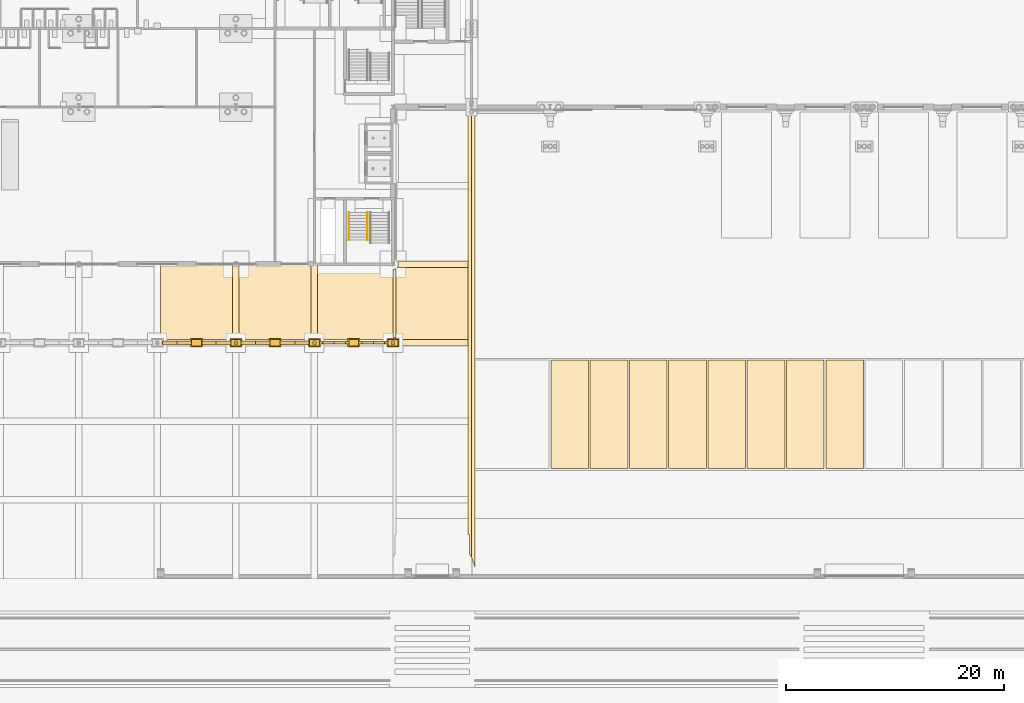
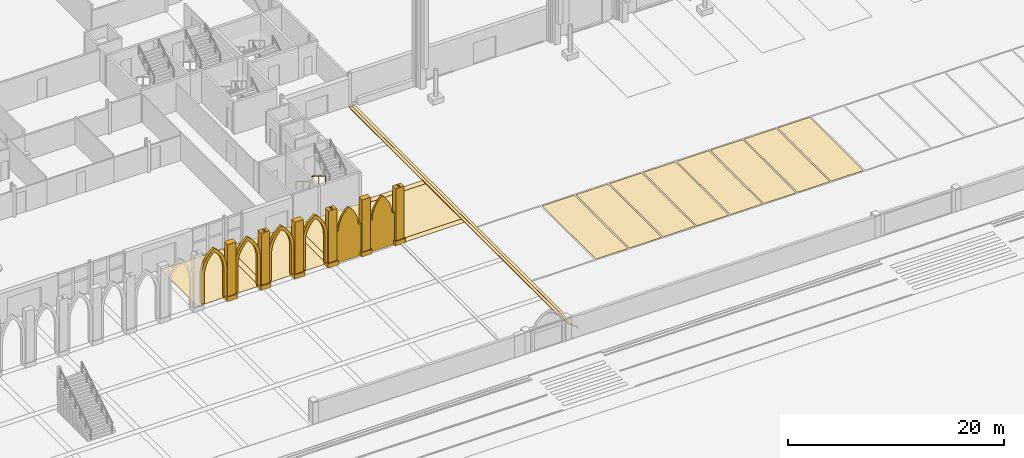
# One storey, part 123 of 148: 37 coverings, 2 railings.
"""IFC4 building model written with IfcOpenShell, lengths in metres."""

import ifcopenshell
import ifcopenshell.guid

model = None  # the IFC model being written
_history = None  # IfcOwnerHistory: only IFC2X3 demands one
_inside = {}  # id of a spatial element -> (the spatial element, [elements in it])
_under = {}  # id of a project, library or spatial element -> (it, [spatial elements below it])
_declared = {}  # id of a project -> (the project, [libraries it declares])
_typed = {}  # id of a type object -> (the type object, [elements of that type])
_made_of = {}  # id of a material, layer set ... -> (it, [elements and type objects made of it])


def new_model(schema):
    """Start an empty IFC model of exactly this schema.

    Asked for "IFC4X3", IfcOpenShell would pick the latest addendum, in which some entities
    have other attributes; the version numbers below select the first issue.
    IFC2X3 requires an IfcOwnerHistory on every rooted entity: one is made here for all.
    """
    global model, _history
    if schema == "IFC4X3":
        model = ifcopenshell.file(schema_version=(4, 3, 0, 0))
    else:
        model = ifcopenshell.file(schema=schema)
    _inside.clear()
    _under.clear()
    _declared.clear()
    _typed.clear()
    _made_of.clear()
    _history = None
    if model.schema == "IFC2X3":
        org = make("IfcOrganization", Name="unknown")
        user = make(
            "IfcPersonAndOrganization",
            ThePerson=make("IfcPerson", FamilyName="unknown"),
            TheOrganization=org,
        )
        app = make(
            "IfcApplication",
            ApplicationDeveloper=org,
            Version="unknown",
            ApplicationFullName="unknown",
            ApplicationIdentifier="unknown",
        )
        _history = make(
            "IfcOwnerHistory",
            OwningUser=user,
            OwningApplication=app,
            ChangeAction="ADDED",
            CreationDate=0,
        )
    return model


def make(cls, **values):
    """One entity of the class cls with the attributes given. An attribute that is None is left unset."""
    return model.create_entity(
        cls, **{name: value for name, value in values.items() if value is not None}
    )


def rooted(cls, **values):
    """An entity with a GlobalId (a new one), such as an element, a storey or a relation."""
    return make(cls, GlobalId=ifcopenshell.guid.new(), OwnerHistory=_history, **values)


def si_unit(unit_type, name, prefix=None):
    """IfcSIUnit, for example si_unit("LENGTHUNIT", "METRE", prefix="MILLI")."""
    return make("IfcSIUnit", UnitType=unit_type, Prefix=prefix, Name=name)


def assignment(units):
    """IfcUnitAssignment: the units of a project."""
    return None if units is None else make("IfcUnitAssignment", Units=units)


def point(xyz):
    """IfcCartesianPoint."""
    return None if xyz is None else make("IfcCartesianPoint", Coordinates=xyz)


def direction(xyz):
    """IfcDirection."""
    return None if xyz is None else make("IfcDirection", DirectionRatios=xyz)


def frame(location, z_axis=None, x_axis=None):
    """IfcAxis2Placement3D, a coordinate frame: its origin and axes. An axis left out is left unset."""
    return make(
        "IfcAxis2Placement3D",
        Location=point(location),
        Axis=direction(z_axis),
        RefDirection=direction(x_axis),
    )


def frame_2d(location, x_axis=None):
    """IfcAxis2Placement2D, a coordinate frame in the plane: its origin and x axis."""
    return make(
        "IfcAxis2Placement2D", Location=point(location), RefDirection=direction(x_axis)
    )


def origin():
    """The frame at (0, 0, 0) with its axes left unset."""
    return frame((0.0, 0.0, 0.0))


def origin_2d():
    """The frame at (0, 0) in the plane with its x axis left unset."""
    return frame_2d((0.0, 0.0))


def place(relative_to, where):
    """IfcLocalPlacement: puts the frame where relative to a parent placement (None: the world)."""
    return make(
        "IfcLocalPlacement", PlacementRelTo=relative_to, RelativePlacement=where
    )


def context(
    kind, dimensions, precision=None, world=None, true_north=None, identifier=None
):
    """IfcGeometricRepresentationContext, for example the 3D "Model" context."""
    return make(
        "IfcGeometricRepresentationContext",
        ContextIdentifier=identifier,
        ContextType=kind,
        CoordinateSpaceDimension=dimensions,
        Precision=precision,
        WorldCoordinateSystem=world,
        TrueNorth=true_north,
    )


def subcontext(parent, identifier, kind, view, scale=None):
    """IfcGeometricRepresentationSubContext, for example "Body" below "Model"."""
    return make(
        "IfcGeometricRepresentationSubContext",
        ContextIdentifier=identifier,
        ContextType=kind,
        ParentContext=parent,
        TargetScale=scale,
        TargetView=view,
    )


def project(units=None, contexts=None):
    """IfcProject with its units and contexts."""
    return rooted(
        "IfcProject",
        Name="project",
        RepresentationContexts=contexts,
        UnitsInContext=assignment(units),
    )


def spatial(cls, under=None, at=None, **own):
    """A site, building, storey or space (cls), placed at a placement, below another one or the project."""
    s = rooted(cls, ObjectPlacement=at, **own)
    if under is not None:
        _under.setdefault(under.id(), (under, []))[1].append(s)
    return s


def polyline(points):
    """IfcPolyline through the points."""
    return make("IfcPolyline", Points=[point(p) for p in points])


def profile(cls, at=None, kind="AREA", **sizes):
    """A parametric profile (cls). Its sizes go by their IFC names, for example OverallWidth=200.0."""
    return make(cls, ProfileType=kind, Position=at, **sizes)


def circle(**sizes):
    """IfcCircleProfileDef."""
    return profile("IfcCircleProfileDef", **sizes)


def outline(outer, holes=None, kind="AREA"):
    """IfcArbitraryClosedProfileDef: a profile drawn as a closed curve; with holes, ...WithVoids."""
    if holes is None:
        return make("IfcArbitraryClosedProfileDef", ProfileType=kind, OuterCurve=outer)
    return make(
        "IfcArbitraryProfileDefWithVoids",
        ProfileType=kind,
        OuterCurve=outer,
        InnerCurves=holes,
    )


def extrude(swept, where, along, depth):
    """IfcExtrudedAreaSolid: the profile swept, set in the frame where, extruded along a direction by depth."""
    return make(
        "IfcExtrudedAreaSolid",
        SweptArea=swept,
        Position=where,
        ExtrudedDirection=direction(along),
        Depth=depth,
    )


def shape(context_of_items, identifier, shape_type, items):
    """IfcShapeRepresentation: the items that make up one representation, for example the "Body"."""
    return make(
        "IfcShapeRepresentation",
        ContextOfItems=context_of_items,
        RepresentationIdentifier=identifier,
        RepresentationType=shape_type,
        Items=items,
    )


def material(Name=None, Category=None):
    """IfcMaterial."""
    return make("IfcMaterial", Name=Name, Category=Category)


def layer(
    of_material, thickness, ventilated=None, Name=None, Category=None, Priority=None
):
    """IfcMaterialLayer: one layer of a wall or slab, of a material (None: an air gap)."""
    return make(
        "IfcMaterialLayer",
        Material=of_material,
        LayerThickness=thickness,
        IsVentilated=ventilated,
        Name=Name,
        Category=Category,
        Priority=Priority,
    )


def layer_set(layers, Name=None):
    """IfcMaterialLayerSet."""
    return make("IfcMaterialLayerSet", MaterialLayers=layers, LayerSetName=Name)


def made_of(thing, what):
    """Note that an element or type object is made of a material, layer set ...; save() writes the relation."""
    if what is not None:
        _made_of.setdefault(what.id(), (what, []))[1].append(thing)
    return thing


def type_object(cls, material=None, **own):
    """A type object (cls), such as IfcWallType, which elements share."""
    return made_of(rooted(cls, **own), material)


def element(
    cls,
    number,
    at=None,
    inside=None,
    cuts=None,
    type_object=None,
    material=None,
    context=None,
    identifier="Body",
    shape_type=None,
    held_by="IfcProductDefinitionShape",
    body=None,
    shapes=None,
    **own,
):
    """One element of the class cls, such as IfcWall. Its Tag is "e" and its number.

    at: its placement. inside: the storey or other place that contains it. cuts: it is an
    opening in that element (IfcRelVoidsElement). A single representation is given by context,
    identifier, shape_type and body (its items); several are given by shapes. held_by: the class
    of the entity that holds the representations. save() writes the other relations.
    """
    e = rooted(cls, Tag="e%d" % number, ObjectPlacement=at, **own)
    if body is not None:
        shapes = [shape(context, identifier, shape_type, body)]
    if shapes is not None:
        e.Representation = make(held_by, Representations=shapes)
    if inside is not None:
        _inside.setdefault(inside.id(), (inside, []))[1].append(e)
    if cuts is not None:
        rooted(
            "IfcRelVoidsElement", RelatingBuildingElement=cuts, RelatedOpeningElement=e
        )
    if type_object is not None:
        _typed.setdefault(type_object.id(), (type_object, []))[1].append(e)
    return made_of(e, material)


def aggregate(whole, parts):
    """IfcRelAggregates: a whole, such as a stair, and the parts it consists of."""
    return rooted("IfcRelAggregates", RelatingObject=whole, RelatedObjects=parts)


def save(model, path):
    """Write the relations noted so far, then the file.

    IfcRelAggregates (storeys below a building ...), IfcRelContainedInSpatialStructure (elements
    in a storey), IfcRelDefinesByType, IfcRelAssociatesMaterial and IfcRelDeclares: one each for
    every whole, place, type object, material and project.
    """
    for whole, parts in _under.values():
        aggregate(whole, parts)
    for where, things in _inside.values():
        rooted(
            "IfcRelContainedInSpatialStructure",
            RelatedElements=things,
            RelatingStructure=where,
        )
    for kind, things in _typed.values():
        rooted("IfcRelDefinesByType", RelatedObjects=things, RelatingType=kind)
    for what, things in _made_of.values():
        rooted("IfcRelAssociatesMaterial", RelatedObjects=things, RelatingMaterial=what)
    for by, libraries in _declared.values():
        rooted("IfcRelDeclares", RelatingContext=by, RelatedDefinitions=libraries)
    model.write(path)


model = new_model("IFC4")

# Units and contexts
model_context = context("Model", 3, precision=1e-05, world=origin(), true_north=direction((0.0, 1.0)))
body_context = subcontext(model_context, "Body", "Model", "MODEL_VIEW")
ifc_project = project(units=[si_unit("LENGTHUNIT", "METRE"), si_unit("AREAUNIT", "SQUARE_METRE"), si_unit("VOLUMEUNIT", "CUBIC_METRE"), si_unit("PLANEANGLEUNIT", "RADIAN"), si_unit("MASSUNIT", "GRAM", prefix="KILO")], contexts=[model_context])

# Site, building, storey
site_placement = place(None, origin())
site = spatial("IfcSite", under=ifc_project, at=site_placement, CompositionType="ELEMENT")
building_placement = place(site_placement, origin())
building = spatial("IfcBuilding", under=site, at=building_placement, Name="Kupolbacken Congress Centre", CompositionType="ELEMENT")
storey_placement = place(building_placement, origin())
storey = spatial("IfcBuildingStorey", under=building, at=storey_placement, Name="L00", CompositionType="ELEMENT", Elevation=0.0)

# Coverings
ifc_material_1 = material(Name="Limestone cladding", Category="masonry")
ifc_layer_1 = layer(ifc_material_1, 0.60009765625)
ifc_layer_set_1 = layer_set([ifc_layer_1], Name="Limestone cladding")
covering_type_1 = type_object("IfcCoveringType", Name="CV5 limestone arcade pier 600", PredefinedType="CLADDING", material=ifc_layer_set_1)
covering_1_placement = place(storey_placement, origin())
element("IfcCovering", 1, at=covering_1_placement, inside=storey, type_object=covering_type_1, Name="F/arc/pier/061.2/base", PredefinedType="CLADDING", context=body_context, shape_type="SweptSolid", body=[
    extrude(outline(polyline([(60.64990234375, 21.199951171875), (61.75, 21.199951171875), (61.75, 22.0), (60.64990234375, 22.0), (60.64990234375, 21.199951171875)])), origin(), (0.0, 0.0, 1.0), 0.5),
])
covering_2_placement = place(storey_placement, frame((0.0, 0.0, 0.5)))
element("IfcCovering", 2, at=covering_2_placement, inside=storey, type_object=covering_type_1, Name="F/arc/pier/061.2/shaft", PredefinedType="CLADDING", context=body_context, shape_type="SweptSolid", body=[
    extrude(outline(polyline([(60.75, 21.300048828125), (61.64990234375, 21.300048828125), (61.64990234375, 21.89990234375), (60.75, 21.89990234375), (60.75, 21.300048828125)])), origin(), (0.0, 0.0, 1.0), 5.8701171875),
])
covering_3_placement = place(storey_placement, origin())
element("IfcCovering", 3, at=covering_3_placement, inside=storey, type_object=covering_type_1, Name="F/arc/pier/064.8/base", PredefinedType="CLADDING", context=body_context, shape_type="SweptSolid", body=[
    extrude(outline(polyline([(64.25, 21.199951171875), (65.35009765625, 21.199951171875), (65.35009765625, 22.0), (64.25, 22.0), (64.25, 21.199951171875)]), holes=[polyline([(64.659912109375, 21.4599609375), (64.93994140625, 21.4599609375), (64.93994140625, 21.739990234375), (64.659912109375, 21.739990234375), (64.659912109375, 21.4599609375)])]), origin(), (0.0, 0.0, 1.0), 0.5),
])
covering_4_placement = place(storey_placement, frame((0.0, 0.0, 0.5)))
element("IfcCovering", 4, at=covering_4_placement, inside=storey, type_object=covering_type_1, Name="F/arc/pier/064.8/shaft", PredefinedType="CLADDING", context=body_context, shape_type="SweptSolid", body=[
    extrude(outline(polyline([(64.35009765625, 21.300048828125), (65.25, 21.300048828125), (65.25, 21.89990234375), (64.35009765625, 21.89990234375), (64.35009765625, 21.300048828125)]), holes=[polyline([(64.659912109375, 21.4599609375), (64.93994140625, 21.4599609375), (64.93994140625, 21.739990234375), (64.659912109375, 21.739990234375), (64.659912109375, 21.4599609375)])]), origin(), (0.0, 0.0, 1.0), 5.8701171875),
])
covering_5_placement = place(storey_placement, origin())
element("IfcCovering", 5, at=covering_5_placement, inside=storey, type_object=covering_type_1, Name="F/arc/pier/068.4/base", PredefinedType="CLADDING", context=body_context, shape_type="SweptSolid", body=[
    extrude(outline(polyline([(67.85009765625, 21.199951171875), (68.949951171875, 21.199951171875), (68.949951171875, 22.0), (67.85009765625, 22.0), (67.85009765625, 21.199951171875)])), origin(), (0.0, 0.0, 1.0), 0.5),
])
covering_6_placement = place(storey_placement, frame((0.0, 0.0, 0.5)))
element("IfcCovering", 6, at=covering_6_placement, inside=storey, type_object=covering_type_1, Name="F/arc/pier/068.4/shaft", PredefinedType="CLADDING", context=body_context, shape_type="SweptSolid", body=[
    extrude(outline(polyline([(67.949951171875, 21.300048828125), (68.85009765625, 21.300048828125), (68.85009765625, 21.89990234375), (67.949951171875, 21.89990234375), (67.949951171875, 21.300048828125)])), origin(), (0.0, 0.0, 1.0), 5.8701171875),
])
covering_7_placement = place(storey_placement, origin())
element("IfcCovering", 7, at=covering_7_placement, inside=storey, type_object=covering_type_1, Name="F/arc/pier/072.0/base", PredefinedType="CLADDING", context=body_context, shape_type="SweptSolid", body=[
    extrude(outline(polyline([(71.449951171875, 21.199951171875), (72.550048828125, 21.199951171875), (72.550048828125, 22.0), (71.449951171875, 22.0), (71.449951171875, 21.199951171875)]), holes=[polyline([(71.860107421875, 21.4599609375), (72.139892578125, 21.4599609375), (72.139892578125, 21.739990234375), (71.860107421875, 21.739990234375), (71.860107421875, 21.4599609375)])]), origin(), (0.0, 0.0, 1.0), 0.5),
])
covering_8_placement = place(storey_placement, frame((0.0, 0.0, 0.5)))
element("IfcCovering", 8, at=covering_8_placement, inside=storey, type_object=covering_type_1, Name="F/arc/pier/072.0/shaft", PredefinedType="CLADDING", context=body_context, shape_type="SweptSolid", body=[
    extrude(outline(polyline([(71.550048828125, 21.300048828125), (72.449951171875, 21.300048828125), (72.449951171875, 21.89990234375), (71.550048828125, 21.89990234375), (71.550048828125, 21.300048828125)]), holes=[polyline([(71.860107421875, 21.4599609375), (72.139892578125, 21.4599609375), (72.139892578125, 21.739990234375), (71.860107421875, 21.739990234375), (71.860107421875, 21.4599609375)])]), origin(), (0.0, 0.0, 1.0), 5.8701171875),
])
covering_9_placement = place(storey_placement, origin())
element("IfcCovering", 9, at=covering_9_placement, inside=storey, type_object=covering_type_1, Name="F/arc/pier/075.6/base", PredefinedType="CLADDING", context=body_context, shape_type="SweptSolid", body=[
    extrude(outline(polyline([(75.050048828125, 21.199951171875), (76.14990234375, 21.199951171875), (76.14990234375, 22.0), (75.050048828125, 22.0), (75.050048828125, 21.199951171875)])), origin(), (0.0, 0.0, 1.0), 0.5),
])
covering_10_placement = place(storey_placement, frame((0.0, 0.0, 0.5)))
element("IfcCovering", 10, at=covering_10_placement, inside=storey, type_object=covering_type_1, Name="F/arc/pier/075.6/shaft", PredefinedType="CLADDING", context=body_context, shape_type="SweptSolid", body=[
    extrude(outline(polyline([(75.14990234375, 21.300048828125), (76.050048828125, 21.300048828125), (76.050048828125, 21.89990234375), (75.14990234375, 21.89990234375), (75.14990234375, 21.300048828125)])), origin(), (0.0, 0.0, 1.0), 5.8701171875),
])
covering_11_placement = place(storey_placement, origin())
element("IfcCovering", 11, at=covering_11_placement, inside=storey, type_object=covering_type_1, Name="F/arc/pier/079.2/base", PredefinedType="CLADDING", context=body_context, shape_type="SweptSolid", body=[
    extrude(outline(polyline([(78.64990234375, 21.199951171875), (79.75, 21.199951171875), (79.75, 22.0), (78.64990234375, 22.0), (78.64990234375, 21.199951171875)]), holes=[polyline([(79.06005859375, 21.4599609375), (79.340087890625, 21.4599609375), (79.340087890625, 21.739990234375), (79.06005859375, 21.739990234375), (79.06005859375, 21.4599609375)])]), origin(), (0.0, 0.0, 1.0), 0.5),
])
covering_12_placement = place(storey_placement, frame((0.0, 0.0, 0.5)))
element("IfcCovering", 12, at=covering_12_placement, inside=storey, type_object=covering_type_1, Name="F/arc/pier/079.2/shaft", PredefinedType="CLADDING", context=body_context, shape_type="SweptSolid", body=[
    extrude(outline(polyline([(78.75, 21.300048828125), (79.64990234375, 21.300048828125), (79.64990234375, 21.89990234375), (78.75, 21.89990234375), (78.75, 21.300048828125)]), holes=[polyline([(79.06005859375, 21.4599609375), (79.340087890625, 21.4599609375), (79.340087890625, 21.739990234375), (79.06005859375, 21.739990234375), (79.06005859375, 21.4599609375)])]), origin(), (0.0, 0.0, 1.0), 5.8701171875),
])
ifc_material_2 = material(Name="Limestone cladding", Category="masonry")
ifc_layer_2 = layer(ifc_material_2, 0.300048828125)
ifc_layer_set_2 = layer_set([ifc_layer_2], Name="Limestone cladding")
covering_type_2 = type_object("IfcCoveringType", Name="CV6 limestone arcade arch frame 300", PredefinedType="CLADDING", material=ifc_layer_set_2)
covering_13_placement = place(storey_placement, frame((58.050048828125, 21.449951171875, 0.5), z_axis=(0.0, 1.0, 0.0), x_axis=(-1.0, 0.0, 0.0)))
element("IfcCovering", 13, at=covering_13_placement, inside=storey, type_object=covering_type_2, Name="F/arc/arch/057.6", PredefinedType="CLADDING", context=body_context, shape_type="SweptSolid", body=[
    extrude(outline(polyline([(0.0, 0.0), (0.0, 3.1201171875), (-0.00732421875, 3.343505859375), (-0.029541015625, 3.56591796875), (-0.06640625, 3.7861328125), (-0.117919921875, 4.00390625), (-0.183349609375, 4.21728515625), (-0.262939453125, 4.42626953125), (-0.356201171875, 4.62939453125), (-0.462890625, 4.82568359375), (-0.58203125, 5.014892578125), (-0.713623046875, 5.195556640625), (-0.85693359375, 5.3671875), (-1.010986328125, 5.52880859375), (-1.17578125, 5.68017578125), (-1.35009765625, 5.820068359375), (-1.5244140625, 5.68017578125), (-1.68896484375, 5.52880859375), (-1.843017578125, 5.3671875), (-1.986328125, 5.195556640625), (-2.117919921875, 5.014892578125), (-2.2373046875, 4.82568359375), (-2.34375, 4.62939453125), (-2.43701171875, 4.42626953125), (-2.5166015625, 4.21728515625), (-2.582275390625, 4.00390625), (-2.633544921875, 3.7861328125), (-2.67041015625, 3.56591796875), (-2.692626953125, 3.343505859375), (-2.699951171875, 3.1201171875), (-2.699951171875, 0.0), (-2.39990234375, 0.0), (-2.39990234375, 3.1201171875), (-2.394287109375, 3.306884765625), (-2.377197265625, 3.493408203125), (-2.348876953125, 3.67822265625), (-2.309326171875, 3.861083984375), (-2.2587890625, 4.041259765625), (-2.197265625, 4.218017578125), (-2.125244140625, 4.390625), (-2.042724609375, 4.55859375), (-1.9501953125, 4.72119140625), (-1.847900390625, 4.877685546875), (-1.736572265625, 5.028076171875), (-1.615966796875, 5.171142578125), (-1.487060546875, 5.306640625), (-1.35009765625, 5.43408203125), (-1.212890625, 5.306640625), (-1.083984375, 5.171142578125), (-0.96337890625, 5.028076171875), (-0.85205078125, 4.877685546875), (-0.749755859375, 4.72119140625), (-0.6572265625, 4.55859375), (-0.57470703125, 4.390625), (-0.502685546875, 4.218017578125), (-0.441162109375, 4.041259765625), (-0.390625, 3.861083984375), (-0.35107421875, 3.67822265625), (-0.32275390625, 3.493408203125), (-0.3056640625, 3.306884765625), (-0.300048828125, 3.1201171875), (-0.300048828125, 0.0), (0.0, 0.0)])), origin(), (0.0, 0.0, 1.0), 0.300048828125),
])
covering_14_placement = place(storey_placement, frame((61.64990234375, 21.449951171875, 0.5), z_axis=(0.0, 1.0, 0.0), x_axis=(-1.0, 0.0, 0.0)))
element("IfcCovering", 14, at=covering_14_placement, inside=storey, type_object=covering_type_2, Name="F/arc/arch/061.2", PredefinedType="CLADDING", context=body_context, shape_type="SweptSolid", body=[
    extrude(outline(polyline([(0.0, 0.0), (0.0, 3.1201171875), (-0.00732421875, 3.343505859375), (-0.029541015625, 3.56591796875), (-0.06640625, 3.7861328125), (-0.117919921875, 4.00390625), (-0.183349609375, 4.21728515625), (-0.262939453125, 4.42626953125), (-0.356201171875, 4.62939453125), (-0.462890625, 4.82568359375), (-0.58203125, 5.014892578125), (-0.713623046875, 5.195556640625), (-0.85693359375, 5.3671875), (-1.010986328125, 5.52880859375), (-1.17578125, 5.68017578125), (-1.35009765625, 5.820068359375), (-1.5244140625, 5.68017578125), (-1.68896484375, 5.52880859375), (-1.843017578125, 5.3671875), (-1.986328125, 5.195556640625), (-2.117919921875, 5.014892578125), (-2.2373046875, 4.82568359375), (-2.34375, 4.62939453125), (-2.43701171875, 4.42626953125), (-2.5166015625, 4.21728515625), (-2.582275390625, 4.00390625), (-2.633544921875, 3.7861328125), (-2.67041015625, 3.56591796875), (-2.692626953125, 3.343505859375), (-2.699951171875, 3.1201171875), (-2.699951171875, 0.0), (-2.39990234375, 0.0), (-2.39990234375, 3.1201171875), (-2.394287109375, 3.306884765625), (-2.377197265625, 3.493408203125), (-2.348876953125, 3.67822265625), (-2.309326171875, 3.861083984375), (-2.2587890625, 4.041259765625), (-2.197265625, 4.218017578125), (-2.125244140625, 4.390625), (-2.042724609375, 4.55859375), (-1.9501953125, 4.72119140625), (-1.847900390625, 4.877685546875), (-1.736572265625, 5.028076171875), (-1.615966796875, 5.171142578125), (-1.487060546875, 5.306640625), (-1.35009765625, 5.43408203125), (-1.212890625, 5.306640625), (-1.083984375, 5.171142578125), (-0.96337890625, 5.028076171875), (-0.85205078125, 4.877685546875), (-0.749755859375, 4.72119140625), (-0.6572265625, 4.55859375), (-0.57470703125, 4.390625), (-0.502685546875, 4.218017578125), (-0.441162109375, 4.041259765625), (-0.390625, 3.861083984375), (-0.35107421875, 3.67822265625), (-0.32275390625, 3.493408203125), (-0.3056640625, 3.306884765625), (-0.300048828125, 3.1201171875), (-0.300048828125, 0.0), (0.0, 0.0)])), origin(), (0.0, 0.0, 1.0), 0.300048828125),
])
covering_15_placement = place(storey_placement, frame((65.25, 21.449951171875, 0.5), z_axis=(0.0, 1.0, 0.0), x_axis=(-1.0, 0.0, 0.0)))
element("IfcCovering", 15, at=covering_15_placement, inside=storey, type_object=covering_type_2, Name="F/arc/arch/064.8", PredefinedType="CLADDING", context=body_context, shape_type="SweptSolid", body=[
    extrude(outline(polyline([(0.0, 0.0), (0.0, 3.1201171875), (-0.00732421875, 3.343505859375), (-0.029541015625, 3.56591796875), (-0.06640625, 3.7861328125), (-0.117919921875, 4.00390625), (-0.183349609375, 4.21728515625), (-0.262939453125, 4.42626953125), (-0.356201171875, 4.62939453125), (-0.462890625, 4.82568359375), (-0.58203125, 5.014892578125), (-0.713623046875, 5.195556640625), (-0.85693359375, 5.3671875), (-1.010986328125, 5.52880859375), (-1.17578125, 5.68017578125), (-1.35009765625, 5.820068359375), (-1.5244140625, 5.68017578125), (-1.68896484375, 5.52880859375), (-1.843017578125, 5.3671875), (-1.986328125, 5.195556640625), (-2.117919921875, 5.014892578125), (-2.2373046875, 4.82568359375), (-2.34375, 4.62939453125), (-2.43701171875, 4.42626953125), (-2.5166015625, 4.21728515625), (-2.582275390625, 4.00390625), (-2.633544921875, 3.7861328125), (-2.67041015625, 3.56591796875), (-2.692626953125, 3.343505859375), (-2.699951171875, 3.1201171875), (-2.699951171875, 0.0), (-2.39990234375, 0.0), (-2.39990234375, 3.1201171875), (-2.394287109375, 3.306884765625), (-2.377197265625, 3.493408203125), (-2.348876953125, 3.67822265625), (-2.309326171875, 3.861083984375), (-2.2587890625, 4.041259765625), (-2.197265625, 4.218017578125), (-2.125244140625, 4.390625), (-2.042724609375, 4.55859375), (-1.9501953125, 4.72119140625), (-1.847900390625, 4.877685546875), (-1.736572265625, 5.028076171875), (-1.615966796875, 5.171142578125), (-1.487060546875, 5.306640625), (-1.35009765625, 5.43408203125), (-1.212890625, 5.306640625), (-1.083984375, 5.171142578125), (-0.96337890625, 5.028076171875), (-0.85205078125, 4.877685546875), (-0.749755859375, 4.72119140625), (-0.6572265625, 4.55859375), (-0.57470703125, 4.390625), (-0.502685546875, 4.218017578125), (-0.441162109375, 4.041259765625), (-0.390625, 3.861083984375), (-0.35107421875, 3.67822265625), (-0.32275390625, 3.493408203125), (-0.3056640625, 3.306884765625), (-0.300048828125, 3.1201171875), (-0.300048828125, 0.0), (0.0, 0.0)])), origin(), (0.0, 0.0, 1.0), 0.300048828125),
])
covering_16_placement = place(storey_placement, frame((68.85009765625, 21.449951171875, 0.5), z_axis=(0.0, 1.0, 0.0), x_axis=(-1.0, 0.0, 0.0)))
element("IfcCovering", 16, at=covering_16_placement, inside=storey, type_object=covering_type_2, Name="F/arc/arch/068.4", PredefinedType="CLADDING", context=body_context, shape_type="SweptSolid", body=[
    extrude(outline(polyline([(0.0, 0.0), (0.0, 3.1201171875), (-0.00732421875, 3.343505859375), (-0.029541015625, 3.56591796875), (-0.06640625, 3.7861328125), (-0.117919921875, 4.00390625), (-0.183349609375, 4.21728515625), (-0.262939453125, 4.42626953125), (-0.356201171875, 4.62939453125), (-0.462890625, 4.82568359375), (-0.58203125, 5.014892578125), (-0.713623046875, 5.195556640625), (-0.85693359375, 5.3671875), (-1.010986328125, 5.52880859375), (-1.17578125, 5.68017578125), (-1.35009765625, 5.820068359375), (-1.5244140625, 5.68017578125), (-1.68896484375, 5.52880859375), (-1.843017578125, 5.3671875), (-1.986328125, 5.195556640625), (-2.117919921875, 5.014892578125), (-2.2373046875, 4.82568359375), (-2.34375, 4.62939453125), (-2.43701171875, 4.42626953125), (-2.5166015625, 4.21728515625), (-2.582275390625, 4.00390625), (-2.633544921875, 3.7861328125), (-2.67041015625, 3.56591796875), (-2.692626953125, 3.343505859375), (-2.699951171875, 3.1201171875), (-2.699951171875, 0.0), (-2.39990234375, 0.0), (-2.39990234375, 3.1201171875), (-2.394287109375, 3.306884765625), (-2.377197265625, 3.493408203125), (-2.348876953125, 3.67822265625), (-2.309326171875, 3.861083984375), (-2.2587890625, 4.041259765625), (-2.197265625, 4.218017578125), (-2.125244140625, 4.390625), (-2.042724609375, 4.55859375), (-1.9501953125, 4.72119140625), (-1.847900390625, 4.877685546875), (-1.736572265625, 5.028076171875), (-1.615966796875, 5.171142578125), (-1.487060546875, 5.306640625), (-1.35009765625, 5.43408203125), (-1.212890625, 5.306640625), (-1.083984375, 5.171142578125), (-0.96337890625, 5.028076171875), (-0.85205078125, 4.877685546875), (-0.749755859375, 4.72119140625), (-0.6572265625, 4.55859375), (-0.57470703125, 4.390625), (-0.502685546875, 4.218017578125), (-0.441162109375, 4.041259765625), (-0.390625, 3.861083984375), (-0.35107421875, 3.67822265625), (-0.32275390625, 3.493408203125), (-0.3056640625, 3.306884765625), (-0.300048828125, 3.1201171875), (-0.300048828125, 0.0), (0.0, 0.0)])), origin(), (0.0, 0.0, 1.0), 0.300048828125),
])
ifc_material_3 = material(Name="Limestone cladding", Category="masonry")
ifc_layer_3 = layer(ifc_material_3, 0.300048828125)
ifc_layer_set_3 = layer_set([ifc_layer_3], Name="Limestone cladding")
covering_type_3 = type_object("IfcCoveringType", Name="CV7 limestone arcade spandrel 300", PredefinedType="CLADDING", material=ifc_layer_set_3)
for number, where, z_axis, x_axis, name in (
    (17, (72.449951171875, 21.5, 3.6201171875), (0.0, 1.0, 0.0), (-1.0, 0.0, 0.0), "F/arc/infill/072.0"),
    (18, (76.050048828125, 21.5, 3.6201171875), (0.0, 1.0, 0.0), (-1.0, 0.0, 0.0), "F/arc/infill/075.6"),
):
    element("IfcCovering", number, at=place(storey_placement, frame(where, z_axis=z_axis, x_axis=x_axis)), inside=storey, type_object=covering_type_3, Name=name, PredefinedType="CLADDING", context=body_context, shape_type="SweptSolid", body=[
        extrude(outline(polyline([(-0.10009765625, -3.6201171875), (-2.60009765625, -3.6201171875), (-2.60009765625, -3.1201171875), (-2.699951171875, -3.1201171875), (-2.699951171875, 0.0), (-2.39990234375, 0.0), (-2.394287109375, 0.18701171875), (-2.377197265625, 0.373291015625), (-2.348876953125, 0.55810546875), (-2.309326171875, 0.7412109375), (-2.2587890625, 0.921142578125), (-2.197265625, 1.097900390625), (-2.125244140625, 1.2705078125), (-2.042724609375, 1.4384765625), (-1.9501953125, 1.60107421875), (-1.847900390625, 1.7578125), (-1.736572265625, 1.907958984375), (-1.615966796875, 2.051025390625), (-1.487060546875, 2.186767578125), (-1.35009765625, 2.314208984375), (-1.212890625, 2.186767578125), (-1.083984375, 2.051025390625), (-0.96337890625, 1.907958984375), (-0.85205078125, 1.7578125), (-0.749755859375, 1.60107421875), (-0.6572265625, 1.4384765625), (-0.57470703125, 1.2705078125), (-0.502685546875, 1.097900390625), (-0.441162109375, 0.921142578125), (-0.390625, 0.7412109375), (-0.35107421875, 0.55810546875), (-0.32275390625, 0.373291015625), (-0.3056640625, 0.18701171875), (-0.300048828125, 0.0), (0.0, 0.0), (0.0, -3.1201171875), (-0.10009765625, -3.1201171875), (-0.10009765625, -3.6201171875)])), origin(), (0.0, 0.0, 1.0), 0.199951171875),
    ])
ifc_material_4 = material(Name="Limestone cladding", Category="masonry")
ifc_layer_4 = layer(ifc_material_4, 0.02001953125)
ifc_layer_set_4 = layer_set([ifc_layer_4], Name="Limestone cladding")
covering_type_4 = type_object("IfcCoveringType", Name="GF1 limestone paving 20", PredefinedType="FLOORING", material=ifc_layer_set_4)
covering_17_placement = place(storey_placement, origin())
element("IfcCovering", 19, at=covering_17_placement, inside=storey, type_object=covering_type_4, Name="Court paving band", PredefinedType="FLOORING", context=body_context, shape_type="SweptSolid", body=[
    extrude(outline(polyline([(65.10009765625, 21.89990234375), (64.5, 21.89990234375), (64.5, 28.797607421875), (65.10009765625, 28.797607421875), (65.10009765625, 21.89990234375)])), origin(), (0.0, 0.0, 1.0), 0.02001953125),
])
covering_18_placement = place(storey_placement, origin())
element("IfcCovering", 20, at=covering_18_placement, inside=storey, type_object=covering_type_4, Name="Court paving band", PredefinedType="FLOORING", context=body_context, shape_type="SweptSolid", body=[
    extrude(outline(polyline([(72.300048828125, 21.89990234375), (71.699951171875, 21.89990234375), (71.699951171875, 28.797607421875), (72.300048828125, 28.797607421875), (72.300048828125, 21.89990234375)])), origin(), (0.0, 0.0, 1.0), 0.02001953125),
])
covering_19_placement = place(storey_placement, origin())
element("IfcCovering", 21, at=covering_19_placement, inside=storey, type_object=covering_type_4, Name="Footpath limestone paving", PredefinedType="FLOORING", context=body_context, shape_type="SweptSolid", body=[
    extrude(outline(polyline([(79.571044921875, 21.904541015625), (79.539306640625, 21.939453125), (79.50048828125, 21.97412109375), (79.50048828125, 28.42578125), (79.539306640625, 28.460693359375), (79.571044921875, 28.49560546875), (79.59912109375, 28.533203125), (79.574462890625, 28.5), (86.099609375, 28.5), (86.099609375, 21.89990234375), (79.574462890625, 21.89990234375), (79.59912109375, 21.86669921875), (79.571044921875, 21.904541015625)])), origin(), (0.0, 0.0, 1.0), 0.02001953125),
])
ifc_material_5 = material(Name="Brick", Category="masonry")
ifc_layer_5 = layer(ifc_material_5, 0.02001953125)
ifc_layer_set_5 = layer_set([ifc_layer_5], Name="Brick")
covering_type_5 = type_object("IfcCoveringType", Name="GF2 brick paving 20", PredefinedType="FLOORING", material=ifc_layer_set_5)
covering_20_placement = place(storey_placement, origin())
element("IfcCovering", 22, at=covering_20_placement, inside=storey, type_object=covering_type_5, Name="Court brick paving", PredefinedType="FLOORING", context=body_context, shape_type="SweptSolid", body=[
    extrude(outline(polyline([(64.5, 28.797607421875), (64.5, 21.89990234375), (57.89990234375, 21.89990234375), (57.89990234375, 28.797607421875), (64.5, 28.797607421875)])), origin(), (0.0, 0.0, 1.0), 0.02001953125),
])
covering_21_placement = place(storey_placement, origin())
element("IfcCovering", 23, at=covering_21_placement, inside=storey, type_object=covering_type_5, Name="Court brick paving", PredefinedType="FLOORING", context=body_context, shape_type="SweptSolid", body=[
    extrude(outline(polyline([(71.699951171875, 28.797607421875), (71.699951171875, 21.89990234375), (65.10009765625, 21.89990234375), (65.10009765625, 28.797607421875), (71.699951171875, 28.797607421875)])), origin(), (0.0, 0.0, 1.0), 0.02001953125),
])
covering_22_placement = place(storey_placement, origin())
element("IfcCovering", 24, at=covering_22_placement, inside=storey, type_object=covering_type_5, Name="Court brick paving", PredefinedType="FLOORING", context=body_context, shape_type="SweptSolid", body=[
    extrude(outline(polyline([(79.197509765625, 28.797607421875), (79.197509765625, 21.89990234375), (72.300048828125, 21.89990234375), (72.300048828125, 28.797607421875), (79.197509765625, 28.797607421875)])), origin(), (0.0, 0.0, 1.0), 0.02001953125),
])
covering_23_placement = place(storey_placement, origin())
element("IfcCovering", 25, at=covering_23_placement, inside=storey, type_object=covering_type_5, Name="Footpath paving band", PredefinedType="FLOORING", context=body_context, shape_type="SweptSolid", body=[
    extrude(outline(polyline([(79.574462890625, 21.300048828125), (79.59912109375, 21.333251953125), (79.623291015625, 21.373779296875), (79.6435546875, 21.416259765625), (79.659423828125, 21.460693359375), (79.6708984375, 21.50634765625), (79.677734375, 21.552978515625), (79.679931640625, 21.60009765625), (79.677734375, 21.647216796875), (79.6708984375, 21.693603515625), (79.659423828125, 21.7392578125), (79.6435546875, 21.78369140625), (79.623291015625, 21.826416015625), (79.59912109375, 21.86669921875), (79.574462890625, 21.89990234375), (86.099609375, 21.89990234375), (86.099609375, 21.300048828125), (79.574462890625, 21.300048828125)])), origin(), (0.0, 0.0, 1.0), 0.02001953125),
])
covering_24_placement = place(storey_placement, origin())
element("IfcCovering", 26, at=covering_24_placement, inside=storey, type_object=covering_type_5, Name="Footpath paving band", PredefinedType="FLOORING", context=body_context, shape_type="SweptSolid", body=[
    extrude(outline(polyline([(79.574462890625, 28.5), (79.59912109375, 28.533203125), (79.623291015625, 28.57373046875), (79.6435546875, 28.6162109375), (79.659423828125, 28.66064453125), (79.6708984375, 28.706298828125), (79.677734375, 28.7529296875), (79.679931640625, 28.800048828125), (79.677734375, 28.84716796875), (79.6708984375, 28.893798828125), (79.659423828125, 28.939208984375), (79.6435546875, 28.983642578125), (79.623291015625, 29.0263671875), (79.59912109375, 29.066650390625), (79.574462890625, 29.10009765625), (86.099609375, 29.10009765625), (86.099609375, 28.5), (79.574462890625, 28.5)])), origin(), (0.0, 0.0, 1.0), 0.02001953125),
])
ifc_material_6 = material(Name="Asphalt", Category="masonry")
ifc_layer_6 = layer(ifc_material_6, 0.02001953125)
ifc_layer_set_6 = layer_set([ifc_layer_6], Name="Asphalt")
covering_type_6 = type_object("IfcCoveringType", Name="GF3 asphalt dock hardstanding 20", PredefinedType="FLOORING", material=ifc_layer_set_6)
covering_25_placement = place(storey_placement, origin())
element("IfcCovering", 27, at=covering_25_placement, inside=storey, type_object=covering_type_6, Name="Service yard asphalt hardstanding", PredefinedType="FLOORING", context=body_context, shape_type="SweptSolid", body=[
    extrude(outline(polyline([(97.125, 20.0), (97.125, 10.050048828125), (93.675048828125, 10.050048828125), (93.675048828125, 20.0), (97.125, 20.0)])), origin(), (0.0, 0.0, 1.0), 0.02001953125),
])
covering_26_placement = place(storey_placement, origin())
element("IfcCovering", 28, at=covering_26_placement, inside=storey, type_object=covering_type_6, Name="Service yard asphalt hardstanding", PredefinedType="FLOORING", context=body_context, shape_type="SweptSolid", body=[
    extrude(outline(polyline([(100.72509765625, 20.0), (100.72509765625, 10.050048828125), (97.27490234375, 10.050048828125), (97.27490234375, 20.0), (100.72509765625, 20.0)])), origin(), (0.0, 0.0, 1.0), 0.02001953125),
])
covering_27_placement = place(storey_placement, origin())
element("IfcCovering", 29, at=covering_27_placement, inside=storey, type_object=covering_type_6, Name="Service yard asphalt hardstanding", PredefinedType="FLOORING", context=body_context, shape_type="SweptSolid", body=[
    extrude(outline(polyline([(104.324951171875, 20.0), (104.324951171875, 10.050048828125), (100.875, 10.050048828125), (100.875, 20.0), (104.324951171875, 20.0)])), origin(), (0.0, 0.0, 1.0), 0.02001953125),
])
covering_28_placement = place(storey_placement, origin())
element("IfcCovering", 30, at=covering_28_placement, inside=storey, type_object=covering_type_6, Name="Service yard asphalt hardstanding", PredefinedType="FLOORING", context=body_context, shape_type="SweptSolid", body=[
    extrude(outline(polyline([(107.925048828125, 20.0), (107.925048828125, 10.050048828125), (104.47509765625, 10.050048828125), (104.47509765625, 20.0), (107.925048828125, 20.0)])), origin(), (0.0, 0.0, 1.0), 0.02001953125),
])
covering_29_placement = place(storey_placement, origin())
element("IfcCovering", 31, at=covering_29_placement, inside=storey, type_object=covering_type_6, Name="Service yard asphalt hardstanding", PredefinedType="FLOORING", context=body_context, shape_type="SweptSolid", body=[
    extrude(outline(polyline([(111.52490234375, 20.0), (111.52490234375, 10.050048828125), (108.074951171875, 10.050048828125), (108.074951171875, 20.0), (111.52490234375, 20.0)])), origin(), (0.0, 0.0, 1.0), 0.02001953125),
])
covering_30_placement = place(storey_placement, origin())
element("IfcCovering", 32, at=covering_30_placement, inside=storey, type_object=covering_type_6, Name="Service yard asphalt hardstanding", PredefinedType="FLOORING", context=body_context, shape_type="SweptSolid", body=[
    extrude(outline(polyline([(115.125, 20.0), (115.125, 10.050048828125), (111.675048828125, 10.050048828125), (111.675048828125, 20.0), (115.125, 20.0)])), origin(), (0.0, 0.0, 1.0), 0.02001953125),
])
covering_31_placement = place(storey_placement, origin())
element("IfcCovering", 33, at=covering_31_placement, inside=storey, type_object=covering_type_6, Name="Service yard asphalt hardstanding", PredefinedType="FLOORING", context=body_context, shape_type="SweptSolid", body=[
    extrude(outline(polyline([(118.72509765625, 20.0), (118.72509765625, 10.050048828125), (115.27490234375, 10.050048828125), (115.27490234375, 20.0), (118.72509765625, 20.0)])), origin(), (0.0, 0.0, 1.0), 0.02001953125),
])
covering_32_placement = place(storey_placement, origin())
element("IfcCovering", 34, at=covering_32_placement, inside=storey, type_object=covering_type_6, Name="Service yard asphalt hardstanding", PredefinedType="FLOORING", context=body_context, shape_type="SweptSolid", body=[
    extrude(outline(polyline([(122.324951171875, 20.0), (122.324951171875, 10.050048828125), (118.875, 10.050048828125), (118.875, 20.0), (122.324951171875, 20.0)])), origin(), (0.0, 0.0, 1.0), 0.02001953125),
])
ifc_material_7 = material(Name="Granite setts", Category="masonry")
ifc_layer_7 = layer(ifc_material_7, 0.10009765625)
ifc_layer_set_7 = layer_set([ifc_layer_7], Name="Granite setts")
covering_type_7 = type_object("IfcCoveringType", Name="GR3 granite sett paving 100", PredefinedType="FLOORING", material=ifc_layer_set_7)
covering_33_placement = place(storey_placement, origin())
element("IfcCovering", 35, at=covering_33_placement, inside=storey, type_object=covering_type_7, Name="Granite kerb edging", PredefinedType="FLOORING", context=body_context, shape_type="SweptSolid", body=[
    extrude(outline(polyline([(86.666748046875, 42.80078125), (86.700439453125, 42.825927734375), (86.700439453125, 1.045654296875), (86.627685546875, 1.336181640625), (86.49560546875, 1.705810546875), (86.402587890625, 1.90234375), (86.402587890625, 42.72021484375), (86.447021484375, 42.722412109375), (86.49365234375, 42.729248046875), (86.539306640625, 42.740478515625), (86.583740234375, 42.756591796875), (86.626220703125, 42.776611328125), (86.666748046875, 42.80078125)])), origin(), (0.0, 0.0, 1.0), 0.10009765625),
])
covering_34_placement = place(storey_placement, origin())
element("IfcCovering", 36, at=covering_34_placement, inside=storey, type_object=covering_type_7, Name="Granite kerb edging", PredefinedType="FLOORING", context=body_context, shape_type="SweptSolid", body=[
    extrude(outline(polyline([(86.306396484375, 42.729248046875), (86.352783203125, 42.722412109375), (86.3974609375, 42.72021484375), (86.3974609375, 1.9130859375), (86.32763671875, 2.060546875), (86.199951171875, 2.273681640625), (86.199951171875, 4.0), (86.099609375, 4.0), (86.099609375, 42.396240234375), (86.134765625, 42.53662109375), (86.17041015625, 42.778564453125), (86.21630859375, 42.756591796875), (86.2607421875, 42.740478515625), (86.306396484375, 42.729248046875)])), origin(), (0.0, 0.0, 1.0), 0.10009765625),
])
covering_35_placement = place(storey_placement, origin())
element("IfcCovering", 37, at=covering_35_placement, inside=storey, type_object=covering_type_7, Name="Granite kerb edging", PredefinedType="FLOORING", context=body_context, shape_type="SweptSolid", body=[
    extrude(outline(polyline([(79.293701171875, 22.07080078125), (79.2470703125, 22.07763671875), (79.202392578125, 22.079833984375), (79.202392578125, 28.320068359375), (79.2470703125, 28.322265625), (79.293701171875, 28.3291015625), (79.33935546875, 28.340576171875), (79.3837890625, 28.3564453125), (79.42626953125, 28.376708984375), (79.466796875, 28.40087890625), (79.50048828125, 28.42578125), (79.50048828125, 21.97412109375), (79.466796875, 21.9990234375), (79.42626953125, 22.0234375), (79.3837890625, 22.04345703125), (79.33935546875, 22.059326171875), (79.293701171875, 22.07080078125)])), origin(), (0.0, 0.0, 1.0), 0.10009765625),
])

# Railings
ifc_material_8 = material(Name="Steel S235", Category="steel")
railing_type = type_object("IfcRailingType", Name="RL3 handrail wall-mounted 900", PredefinedType="HANDRAIL", material=ifc_material_8)
for number, where, name in (
    (38, (76.85009765625, 33.544921875, 0.17138671875), "C/stair/FS1E/L00/HR1L"),
    (39, (75.14990234375, 33.544921875, 0.17138671875), "C/stair/FS1E/L00/HR1R"),
):
    element("IfcRailing", number, at=place(storey_placement, frame(where)), inside=storey, type_object=railing_type, Name=name, PredefinedType="HANDRAIL", context=body_context, shape_type="SweptSolid", body=[
        extrude(circle(Radius=0.02392578125, at=origin_2d()), frame((0.0, 0.0, 0.8759765625), z_axis=(0.0, -0.852836285881, 0.522178388565), x_axis=(1.0, 0.0, 0.0)), (0.0, 0.0, 1.0), 2.954833984375),
        extrude(circle(Radius=0.02099609375, at=origin_2d()), origin(), (0.0, 0.0, 1.0), 0.851806640625),
        extrude(circle(Radius=0.02099609375, at=origin_2d()), frame((0.0, -1.260009765625, 0.771484375)), (0.0, 0.0, 1.0), 0.851806640625),
        extrude(circle(Radius=0.02099609375, at=origin_2d()), frame((0.0, -2.52001953125, 1.54296875)), (0.0, 0.0, 1.0), 0.851806640625),
    ])

save(model, "model.ifc")
